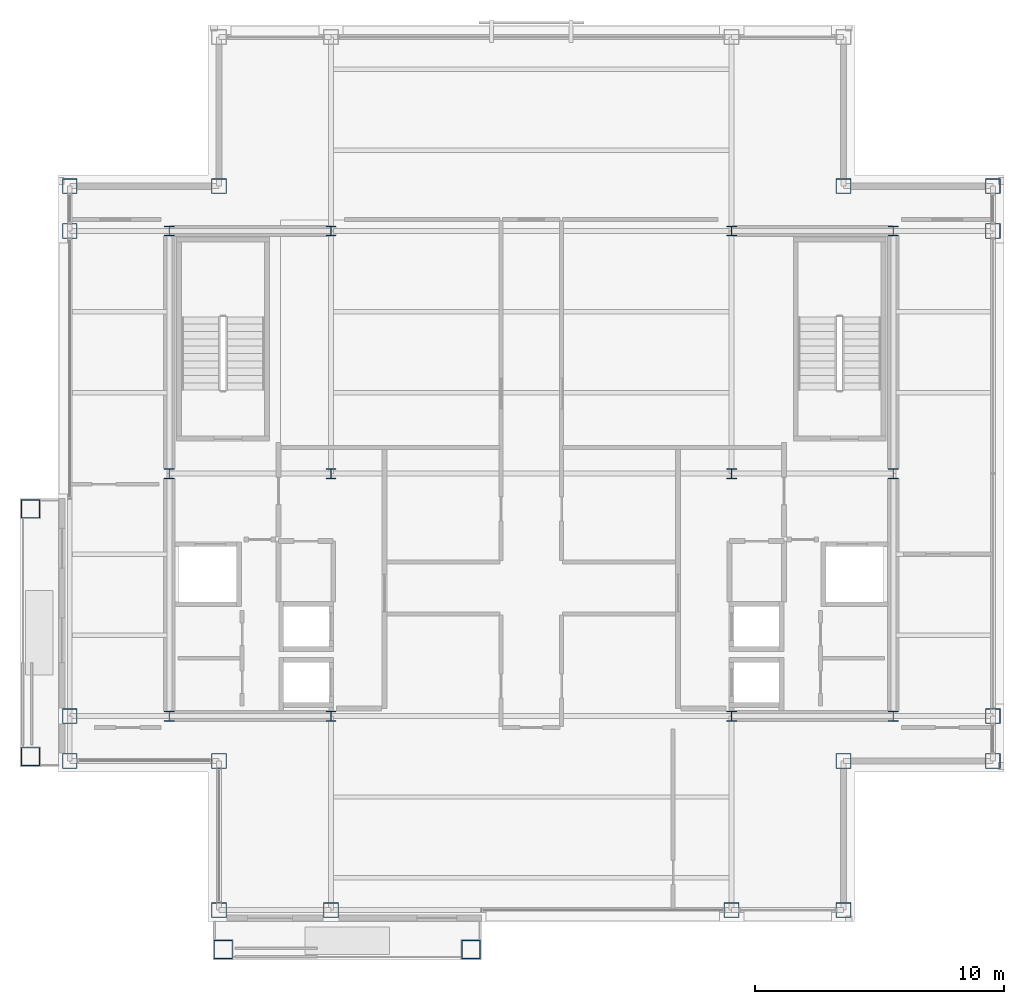
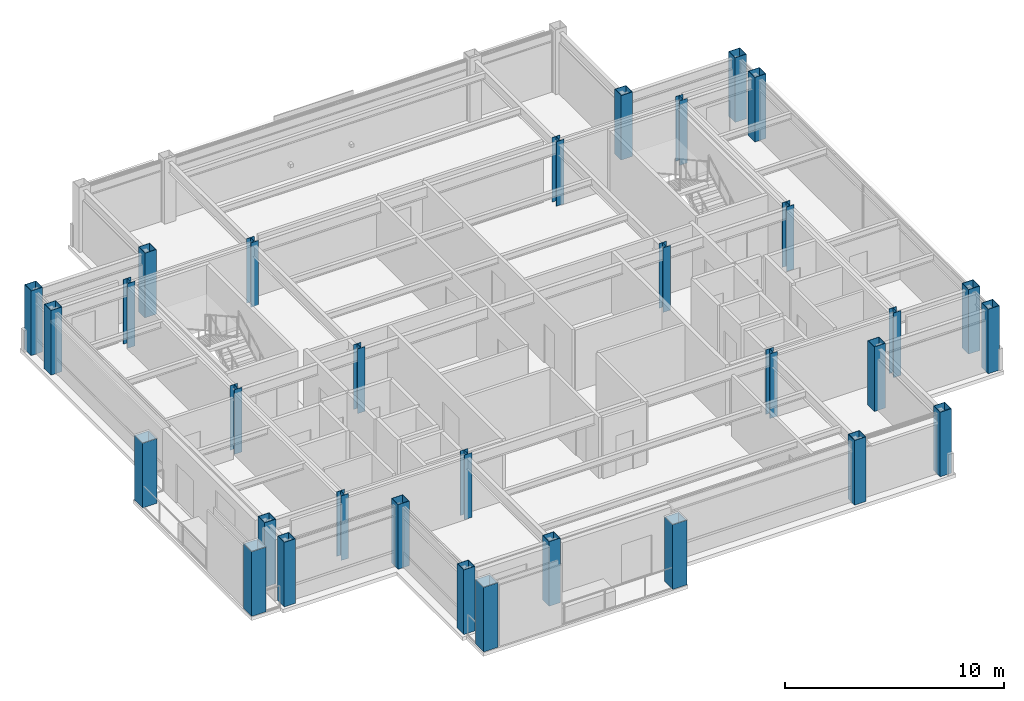
# One storey, part 1 of 24: 32 columns.
"""IFC4 building model written with IfcOpenShell, lengths in metres."""

from ifc_helpers import new_model, si_unit, direction, frame, origin, origin_2d, place, context, subcontext, project, spatial, hollow_rectangle, i_section, extrude, material, material_profile, profile_set, type_object, element, save


model = new_model("IFC4")

# Units and contexts
model_context = context("Model", 3, precision=1e-05, world=origin(), true_north=direction((0.0, 1.0)))
body_context = subcontext(model_context, "Body", "Model", "MODEL_VIEW")
ifc_project = project(units=[si_unit("LENGTHUNIT", "METRE"), si_unit("AREAUNIT", "SQUARE_METRE"), si_unit("VOLUMEUNIT", "CUBIC_METRE"), si_unit("PLANEANGLEUNIT", "RADIAN"), si_unit("MASSUNIT", "GRAM", prefix="KILO")], contexts=[model_context])

# Site, building, storey
site_placement = place(None, origin())
site = spatial("IfcSite", under=ifc_project, at=site_placement, CompositionType="ELEMENT")
building_placement = place(site_placement, origin())
building = spatial("IfcBuilding", under=site, at=building_placement, Name="Brelmoor Portico Tower", CompositionType="ELEMENT")
storey_placement = place(building_placement, frame((0.0, 0.0, 254.39990234375)))
storey = spatial("IfcBuildingStorey", under=building, at=storey_placement, Name="L67", CompositionType="ELEMENT", Elevation=254.39990234375)

# Columns
ifc_material = material(Name="Steel Q355B", Category="steel")
ifc_material_profile_1 = material_profile(ifc_material, hollow_rectangle(XDim=0.60009765625, YDim=0.60009765625, WallThickness=0.02490234375, at=origin_2d()), Name="BOX 600x600x25")
ifc_profile_set_1 = profile_set([ifc_material_profile_1], Name="Steel Q355B")
column_type_1 = type_object("IfcColumnType", Name="COL-MEGA-600", PredefinedType="COLUMN", material=ifc_profile_set_1)
for number, where, z_axis, x_axis, name in (
    (1, (-12.550048828125, -17.550048828125, 0.0), (0.0, 0.0, 1.0), (1.0, 0.0, 0.0), "L67 Perimeter Mega-Column PS01"),
    (2, (-8.050048828125, -17.550048828125, 0.0), (0.0, 0.0, 1.0), (1.0, 0.0, 0.0), "L67 Perimeter Mega-Column PS02"),
    (3, (8.050048828125, -17.550048828125, 0.0), (0.0, 0.0, 1.0), (1.0, 0.0, 0.0), "L67 Perimeter Mega-Column PS03"),
    (4, (12.550048828125, -17.550048828125, 0.0), (0.0, 0.0, 1.0), (1.0, 0.0, 0.0), "L67 Perimeter Mega-Column PS04"),
    (5, (-18.550048828125, -11.550048828125, 0.0), (0.0, 0.0, 1.0), (0.0, 1.0, 0.0), "L67 Perimeter Mega-Column PW01"),
    (6, (-18.550048828125, -9.75, 0.0), (0.0, 0.0, 1.0), (0.0, 1.0, 0.0), "L67 Perimeter Mega-Column PW02"),
    (7, (-18.550048828125, 9.75, 0.0), (0.0, 0.0, 1.0), (0.0, 1.0, 0.0), "L67 Perimeter Mega-Column PW03"),
    (8, (-18.550048828125, 11.550048828125, 0.0), (0.0, 0.0, 1.0), (0.0, 1.0, 0.0), "L67 Perimeter Mega-Column PW04"),
    (9, (18.550048828125, -11.550048828125, 0.0), (0.0, 0.0, 1.0), (0.0, 1.0, 0.0), "L67 Perimeter Mega-Column PE01"),
    (10, (18.550048828125, -9.75, 0.0), (0.0, 0.0, 1.0), (0.0, 1.0, 0.0), "L67 Perimeter Mega-Column PE02"),
    (11, (18.550048828125, 9.75, 0.0), (0.0, 0.0, 1.0), (0.0, 1.0, 0.0), "L67 Perimeter Mega-Column PE03"),
    (12, (18.550048828125, 11.550048828125, 0.0), (0.0, 0.0, 1.0), (0.0, 1.0, 0.0), "L67 Perimeter Mega-Column PE04"),
    (13, (-12.550048828125, 11.550048828125, 0.0), (0.0, 0.0, 1.0), (1.0, 0.0, 0.0), "L67 Perimeter Mega-Column PC-NW"),
    (14, (12.550048828125, 11.550048828125, 0.0), (0.0, 0.0, 1.0), (1.0, 0.0, 0.0), "L67 Perimeter Mega-Column PC-NE"),
    (15, (12.550048828125, -11.550048828125, 0.0), (0.0, 0.0, 1.0), (1.0, 0.0, 0.0), "L67 Perimeter Mega-Column PC-SE"),
    (16, (-12.550048828125, -11.550048828125, 0.0), (0.0, 0.0, 1.0), (1.0, 0.0, 0.0), "L67 Perimeter Mega-Column PC-SW"),
):
    element("IfcColumn", number, at=place(storey_placement, frame(where, z_axis=z_axis, x_axis=x_axis)), inside=storey, type_object=column_type_1, Name=name, PredefinedType="COLUMN", context=body_context, shape_type="SweptSolid", body=[
        extrude(hollow_rectangle(XDim=0.60009765625, YDim=0.60009765625, WallThickness=0.02490234375, at=origin_2d()), origin(), (0.0, 0.0, 1.0), 3.60009765625),
    ])
ifc_material_profile_2 = material_profile(ifc_material, hollow_rectangle(XDim=0.75, YDim=0.75, WallThickness=0.031982421875, at=origin_2d()), Name="BOX 750x750x32")
ifc_profile_set_2 = profile_set([ifc_material_profile_2], Name="Steel Q355B")
column_type_2 = type_object("IfcColumnType", Name="COL-MEGA-750", PredefinedType="COLUMN", material=ifc_profile_set_2)
for number, where, z_axis, x_axis, name in (
    (17, (-12.3798828125, -19.1298828125, 0.0), (0.0, 0.0, 1.0), (1.0, 0.0, 0.0), "L67 Proud Picture-Frame Pier PFJ-S1"),
    (18, (-2.419921875, -19.1298828125, 0.0), (0.0, 0.0, 1.0), (1.0, 0.0, 0.0), "L67 Proud Picture-Frame Pier PFJ-S2"),
    (19, (-20.1298828125, -11.3798828125, 0.0), (0.0, 0.0, 1.0), (0.0, 1.0, 0.0), "L67 Proud Picture-Frame Pier PFJ-W1"),
    (20, (-20.1298828125, -1.419921875, 0.0), (0.0, 0.0, 1.0), (0.0, 1.0, 0.0), "L67 Proud Picture-Frame Pier PFJ-W2"),
):
    element("IfcColumn", number, at=place(storey_placement, frame(where, z_axis=z_axis, x_axis=x_axis)), inside=storey, type_object=column_type_2, Name=name, PredefinedType="COLUMN", context=body_context, shape_type="SweptSolid", body=[
        extrude(hollow_rectangle(XDim=0.75, YDim=0.75, WallThickness=0.031982421875, at=origin_2d()), origin(), (0.0, 0.0, 1.0), 3.60009765625),
    ])
ifc_material_profile_3 = material_profile(ifc_material, i_section(OverallWidth=0.39990234375, OverallDepth=0.39990234375, WebThickness=0.012939453125, FlangeThickness=0.02099609375, at=origin_2d()), Name="HW 400x400x13x21")
ifc_profile_set_3 = profile_set([ifc_material_profile_3], Name="Steel Q355B")
column_type_3 = type_object("IfcColumnType", Name="COL-SPINE-400", PredefinedType="COLUMN", material=ifc_profile_set_3)
for number, where, z_axis, x_axis, name in (
    (21, (-14.550048828125, -9.75, 0.0), (0.0, 0.0, 1.0), (1.0, 0.0, 0.0), "L67 Core Spine Column CW-SW"),
    (22, (-14.550048828125, 0.0, 0.0), (0.0, 0.0, 1.0), (1.0, 0.0, 0.0), "L67 Core Spine Column CW-MW"),
    (23, (-14.550048828125, 9.75, 0.0), (0.0, 0.0, 1.0), (1.0, 0.0, 0.0), "L67 Core Spine Column CW-NW"),
    (24, (-8.050048828125, -9.75, 0.0), (0.0, 0.0, 1.0), (1.0, 0.0, 0.0), "L67 Core Spine Column CW-SE"),
    (25, (-8.050048828125, 0.0, 0.0), (0.0, 0.0, 1.0), (1.0, 0.0, 0.0), "L67 Core Spine Column CW-ME"),
    (26, (-8.050048828125, 9.75, 0.0), (0.0, 0.0, 1.0), (1.0, 0.0, 0.0), "L67 Core Spine Column CW-NE"),
    (27, (8.050048828125, -9.75, 0.0), (0.0, 0.0, 1.0), (1.0, 0.0, 0.0), "L67 Core Spine Column CE-SW"),
    (28, (8.050048828125, 0.0, 0.0), (0.0, 0.0, 1.0), (1.0, 0.0, 0.0), "L67 Core Spine Column CE-MW"),
    (29, (8.050048828125, 9.75, 0.0), (0.0, 0.0, 1.0), (1.0, 0.0, 0.0), "L67 Core Spine Column CE-NW"),
    (30, (14.550048828125, -9.75, 0.0), (0.0, 0.0, 1.0), (1.0, 0.0, 0.0), "L67 Core Spine Column CE-SE"),
    (31, (14.550048828125, 0.0, 0.0), (0.0, 0.0, 1.0), (1.0, 0.0, 0.0), "L67 Core Spine Column CE-ME"),
    (32, (14.550048828125, 9.75, 0.0), (0.0, 0.0, 1.0), (1.0, 0.0, 0.0), "L67 Core Spine Column CE-NE"),
):
    element("IfcColumn", number, at=place(storey_placement, frame(where, z_axis=z_axis, x_axis=x_axis)), inside=storey, type_object=column_type_3, Name=name, PredefinedType="COLUMN", context=body_context, shape_type="SweptSolid", body=[
        extrude(i_section(OverallWidth=0.39990234375, OverallDepth=0.39990234375, WebThickness=0.012939453125, FlangeThickness=0.02099609375, at=origin_2d()), origin(), (0.0, 0.0, 1.0), 3.60009765625),
    ])

save(model, "model.ifc")
